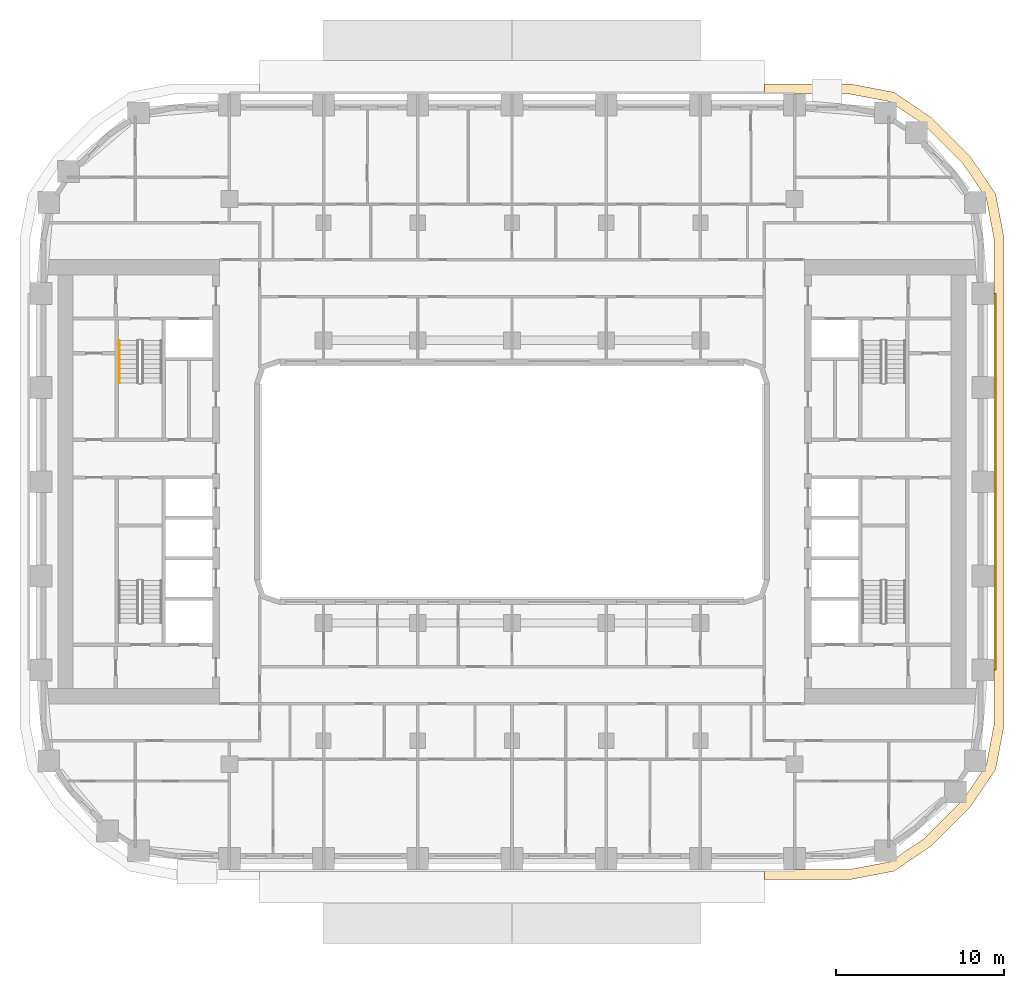
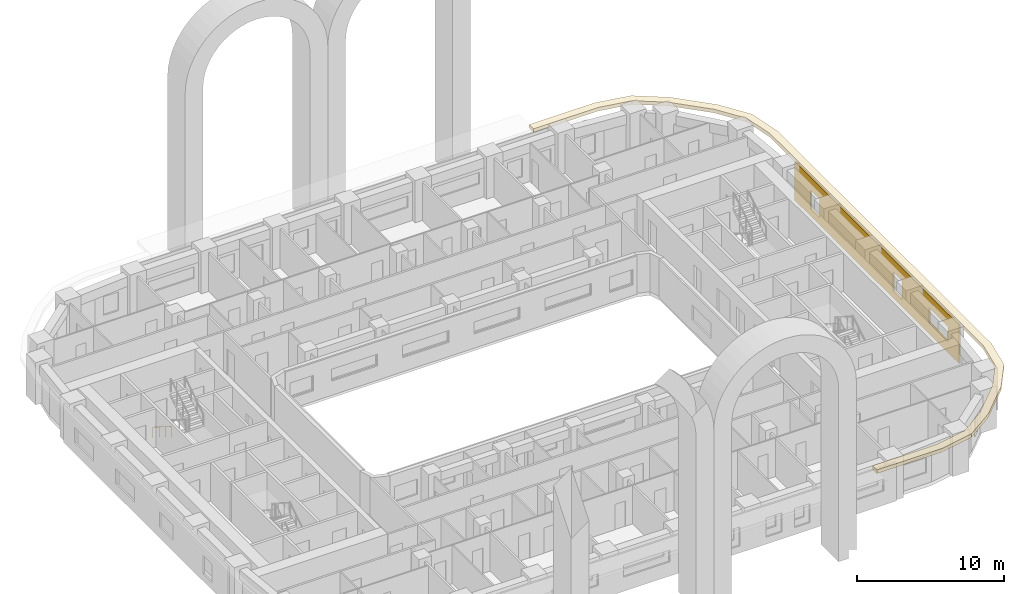
# One storey, part 16 of 19: 2 coverings, 1 railing.
"""IFC4 building model written with IfcOpenShell, lengths in metres."""

from ifc_helpers import new_model, si_unit, direction, frame, origin, origin_2d, place, context, subcontext, project, spatial, polyline, circle, outline, extrude, material, layer, layer_set, type_object, element, save


model = new_model("IFC4")

# Units and contexts
model_context = context("Model", 3, precision=1e-05, world=origin(), true_north=direction((0.0, 1.0)))
body_context = subcontext(model_context, "Body", "Model", "MODEL_VIEW")
ifc_project = project(units=[si_unit("LENGTHUNIT", "METRE"), si_unit("AREAUNIT", "SQUARE_METRE"), si_unit("VOLUMEUNIT", "CUBIC_METRE"), si_unit("PLANEANGLEUNIT", "RADIAN"), si_unit("MASSUNIT", "GRAM", prefix="KILO")], contexts=[model_context])

# Site, building, storey
site_placement = place(None, origin())
site = spatial("IfcSite", under=ifc_project, at=site_placement, CompositionType="ELEMENT")
building_placement = place(site_placement, origin())
building = spatial("IfcBuilding", under=site, at=building_placement, Name="Kiln Ring Residences", CompositionType="ELEMENT")
storey_placement = place(building_placement, frame((0.0, 0.0, 104.300048828125)))
storey = spatial("IfcBuildingStorey", under=building, at=storey_placement, Name="L26", CompositionType="ELEMENT", Elevation=104.300048828125)

# Railing
ifc_material_1 = material(Name="Stainless steel", Category="steel")
railing_type = type_object("IfcRailingType", Name="CORE-STAIR-HANDRAIL", PredefinedType="HANDRAIL", material=ifc_material_1)
railing_placement = place(storey_placement, frame((-23.35009765625, 8.39990234375, 0.175048828125)))
element("IfcRailing", 1, at=railing_placement, inside=storey, type_object=railing_type, Name="L26 W-STN stair handrail 1", PredefinedType="HANDRAIL", context=body_context, shape_type="SweptSolid", body=[
    extrude(circle(Radius=0.02392578125, at=origin_2d()), frame((0.0, 0.0, 0.8759765625), z_axis=(0.0, -0.848007534815, 0.529984170421), x_axis=(1.0, 0.0, 0.0)), (0.0, 0.0, 1.0), 2.9716796875),
    extrude(circle(Radius=0.02099609375, at=origin_2d()), origin(), (0.0, 0.0, 1.0), 0.851806640625),
    extrude(circle(Radius=0.02099609375, at=origin_2d()), frame((0.0, -0.840087890625, 0.52490234375)), (0.0, 0.0, 1.0), 0.851806640625),
    extrude(circle(Radius=0.02099609375, at=origin_2d()), frame((0.0, -1.679931640625, 1.050048828125)), (0.0, 0.0, 1.0), 0.851806640625),
    extrude(circle(Radius=0.02099609375, at=origin_2d()), frame((0.0, -2.52001953125, 1.574951171875)), (0.0, 0.0, 1.0), 0.851806640625),
])

# Coverings
ifc_material_2 = material(Name="Brick masonry, dark clay brick", Category="masonry")
ifc_layer_1 = layer(ifc_material_2, 0.1201171875)
ifc_layer_set_1 = layer_set([ifc_layer_1], Name="RAINSCREEN PANEL 120")
covering_type_1 = type_object("IfcCoveringType", Name="RAINSCREEN PANEL 120", PredefinedType="CLADDING", material=ifc_layer_set_1)
covering_1_placement = place(storey_placement, frame((28.7099609375, -11.199951171875, 0.0), z_axis=(0.0, 0.0, 1.0), x_axis=(0.0, 1.0, 0.0)))
element("IfcCovering", 2, at=covering_1_placement, inside=storey, type_object=covering_type_1, Name="RAINSCREEN L26", PredefinedType="CLADDING", context=body_context, shape_type="SweptSolid", body=[
    extrude(outline(polyline([(0.0, 0.0), (22.39990234375, 0.0), (22.39990234375, 3.199951171875), (0.0, 3.199951171875), (0.0, 0.0)]), holes=[polyline([(9.0, 2.14990234375), (7.800048828125, 2.14990234375), (7.800048828125, 0.599853515625), (9.0, 0.599853515625), (9.0, 2.14990234375)]), polyline([(20.199951171875, 0.599853515625), (20.199951171875, 2.14990234375), (19.0, 2.14990234375), (19.0, 0.599853515625), (20.199951171875, 0.599853515625)]), polyline([(4.10009765625, 0.89990234375), (4.10009765625, 2.14990234375), (1.5, 2.14990234375), (1.5, 0.89990234375), (4.10009765625, 0.89990234375)])]), frame((0.0, 0.06005859375, 0.0), z_axis=(0.0, -1.0, 0.0), x_axis=(1.0, 0.0, 0.0)), (0.0, 0.0, 1.0), 0.1201171875),
])
ifc_material_3 = material(Name="Black powder-coated steel", Category="steel")
ifc_layer_2 = layer(ifc_material_3, 0.300048828125)
ifc_layer_set_2 = layer_set([ifc_layer_2], Name="SUNSHADE FIN 600")
covering_type_2 = type_object("IfcCoveringType", Name="SUNSHADE FIN 600", PredefinedType="CLADDING", material=ifc_layer_set_2)
covering_2_placement = place(storey_placement, frame((0.0, 0.0, 3.199951171875)))
element("IfcCovering", 3, at=covering_2_placement, inside=storey, type_object=covering_type_2, Name="SUNSHADE FIN L26", PredefinedType="CLADDING", context=body_context, shape_type="SweptSolid", body=[
    extrude(outline(polyline([(20.1181640625, 23.64990234375), (15.0, 23.64990234375), (15.0, 23.050048828125), (20.061279296875, 23.050048828125), (22.478271484375, 22.589111328125), (24.51318359375, 21.2060546875), (26.805908203125, 18.9130859375), (28.18896484375, 16.87841796875), (28.64990234375, 14.46142578125), (28.64990234375, -14.46142578125), (28.18896484375, -16.87841796875), (26.805908203125, -18.9130859375), (24.51318359375, -21.2060546875), (22.478271484375, -22.589111328125), (20.061279296875, -23.050048828125), (15.0, -23.050048828125), (15.0, -23.64990234375), (20.1181640625, -23.64990234375), (22.712890625, -23.155029296875), (24.8974609375, -21.67041015625), (27.2705078125, -19.29736328125), (28.755126953125, -17.11279296875), (29.25, -14.51806640625), (29.25, 14.51806640625), (28.755126953125, 17.11279296875), (27.2705078125, 19.29736328125), (24.8974609375, 21.67041015625), (22.712890625, 23.155029296875), (20.1181640625, 23.64990234375)])), origin(), (0.0, 0.0, 1.0), 0.300048828125),
])

save(model, "model.ifc")
